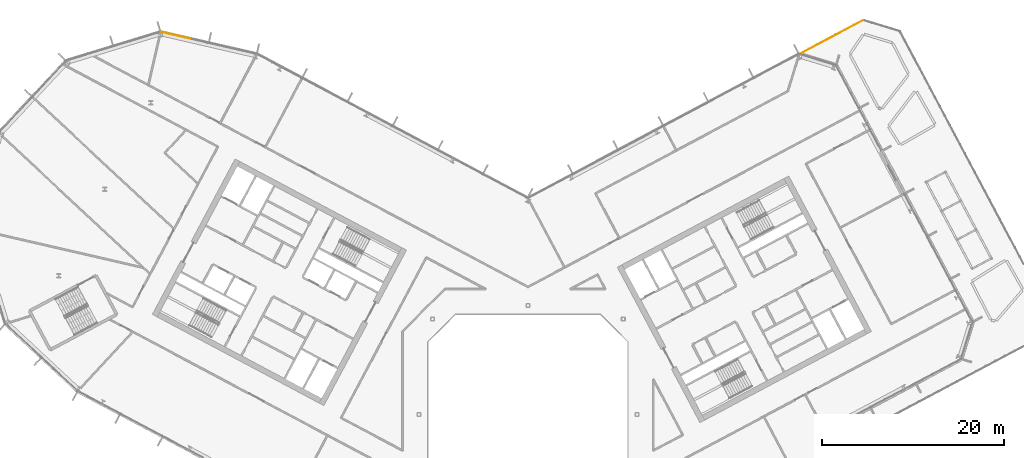
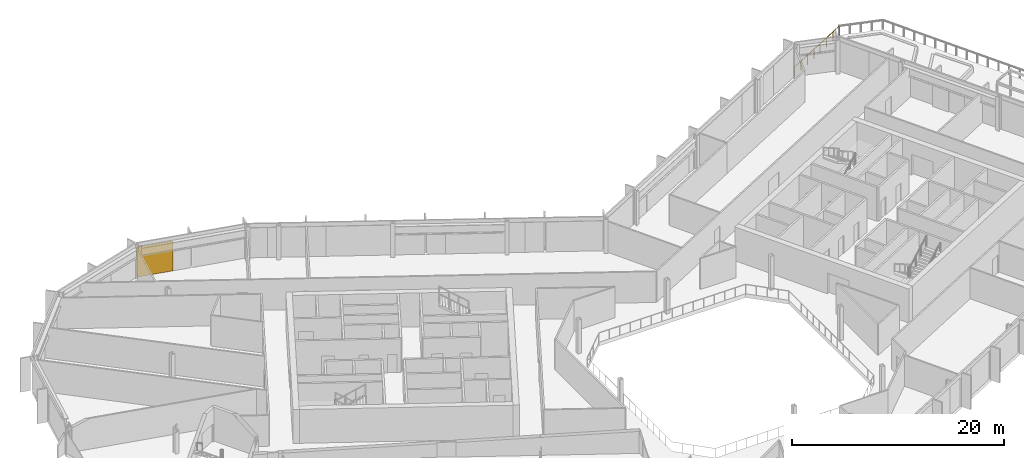
# One storey, part 31 of 31: 1 covering, 1 railing, 1 element without a shape of its own.
"""IFC4 building model written with IfcOpenShell, lengths in metres."""

from ifc_helpers import new_model, si_unit, direction, frame, origin, origin_2d, place, context, subcontext, project, spatial, polyline, rectangle, outline, extrude, material, layer, layer_set, type_object, element, aggregate, save


model = new_model("IFC4")

# Units and contexts
model_context = context("Model", 3, precision=1e-05, world=origin(), true_north=direction((0.0, 1.0)))
body_context = subcontext(model_context, "Body", "Model", "MODEL_VIEW")
ifc_project = project(units=[si_unit("LENGTHUNIT", "METRE"), si_unit("AREAUNIT", "SQUARE_METRE"), si_unit("VOLUMEUNIT", "CUBIC_METRE"), si_unit("PLANEANGLEUNIT", "RADIAN"), si_unit("MASSUNIT", "GRAM", prefix="KILO")], contexts=[model_context])

# Site, building, storey
site_placement = place(None, origin())
site = spatial("IfcSite", under=ifc_project, at=site_placement, CompositionType="ELEMENT")
building_placement = place(site_placement, origin())
building = spatial("IfcBuilding", under=site, at=building_placement, Name="Cormorant Relay Tower", CompositionType="ELEMENT")
storey_placement = place(building_placement, frame((0.0, 0.0, 189.60009765625)))
storey = spatial("IfcBuildingStorey", under=building, at=storey_placement, Name="L40", CompositionType="ELEMENT", Elevation=189.60009765625)

# Curtain wall, covering
ifc_material_1 = material(Name="Aluminium 6063-T6 anodised bronze", Category="aluminium")
ifc_layer_1 = layer(ifc_material_1, 0.199951171875)
ifc_layer_set_1 = layer_set([ifc_layer_1], Name="CW1 unitised bronze curtain wall with vertical fins")
curtain_wall_type = type_object("IfcCurtainWallType", Name="CW1 unitised bronze curtain wall with vertical fins", PredefinedType="NOTDEFINED", material=ifc_layer_set_1)
curtain_wall_placement = place(storey_placement, origin())
curtain_wall = element("IfcCurtainWall", 1, at=curtain_wall_placement, inside=storey, type_object=curtain_wall_type, Name="CW1 curtain wall 10", PredefinedType="NOTDEFINED")
ifc_material_2 = material(Name="Pale bronze anodised aluminium insulated panel", Category="aluminium")
ifc_layer_2 = layer(ifc_material_2, 0.0400390625)
ifc_layer_set_2 = layer_set([ifc_layer_2], Name="CW1 pale bronze insulated panel 40")
covering_type = type_object("IfcCoveringType", Name="CW1 pale bronze insulated panel 40", PredefinedType="CLADDING", material=ifc_layer_set_2)
covering_placement = place(storey_placement, frame((-38.7265625, 41.732421875, 0.0), z_axis=(0.0, 0.0, 1.0), x_axis=(-0.974370064785, 0.224951054344, 0.0)))
covering = element("IfcCovering", 2, at=covering_placement, type_object=covering_type, Name="CW1 panel S02", PredefinedType="CLADDING", context=body_context, shape_type="SweptSolid", body=[
    extrude(rectangle(XDim=3.560302734375, YDim=0.0400390625, at=origin_2d()), origin(), (0.0, 0.0, 1.0), 3.449951171875),
])
aggregate(curtain_wall, [covering])

# Railing
ifc_material_3 = material(Name="Stainless steel guard with laminated glass infill", Category="steel")
railing_type = type_object("IfcRailingType", Name="Slab edge guard 1100", PredefinedType="GUARDRAIL", material=ifc_material_3)
railing_placement = place(storey_placement, frame((29.936279296875, 39.701416015625, 0.0)))
element("IfcRailing", 3, at=railing_placement, inside=storey, type_object=railing_type, Name="Terrace guard L40", PredefinedType="GUARDRAIL", context=body_context, shape_type="SweptSolid", body=[
    extrude(outline(polyline([(0.022216796875, 0.00927734375), (0.00927734375, 0.022216796875), (-0.00927734375, 0.022216796875), (-0.022216796875, 0.00927734375), (-0.022216796875, -0.00927734375), (-0.00927734375, -0.022216796875), (0.00927734375, -0.022216796875), (0.022216796875, -0.00927734375), (0.022216796875, 0.00927734375)])), frame((0.0, 0.0, 1.076171875), z_axis=(0.882951417505, 0.469464369602, 0.0), x_axis=(-0.469464369602, 0.882951417505, 0.0)), (0.0, 0.0, 1.0), 7.928955078125),
    extrude(outline(polyline([(0.019287109375, 0.008056640625), (0.008056640625, 0.019287109375), (-0.008056640625, 0.019287109375), (-0.019287109375, 0.008056640625), (-0.019287109375, -0.008056640625), (-0.008056640625, -0.019287109375), (0.008056640625, -0.019287109375), (0.019287109375, -0.008056640625), (0.019287109375, 0.008056640625)])), origin(), (0.0, 0.0, 1.0), 1.052001953125),
    extrude(outline(polyline([(0.019287109375, 0.008056640625), (0.008056640625, 0.019287109375), (-0.008056640625, 0.019287109375), (-0.019287109375, 0.008056640625), (-0.019287109375, -0.008056640625), (-0.008056640625, -0.019287109375), (0.008056640625, -0.019287109375), (0.019287109375, -0.008056640625), (0.019287109375, 0.008056640625)])), frame((1.000244140625, 0.53173828125, 0.0)), (0.0, 0.0, 1.0), 1.052001953125),
    extrude(outline(polyline([(0.019287109375, 0.008056640625), (0.008056640625, 0.019287109375), (-0.008056640625, 0.019287109375), (-0.019287109375, 0.008056640625), (-0.019287109375, -0.008056640625), (-0.008056640625, -0.019287109375), (0.008056640625, -0.019287109375), (0.019287109375, -0.008056640625), (0.019287109375, 0.008056640625)])), frame((2.000244140625, 1.0634765625, 0.0)), (0.0, 0.0, 1.0), 1.052001953125),
    extrude(outline(polyline([(0.019287109375, 0.008056640625), (0.008056640625, 0.019287109375), (-0.008056640625, 0.019287109375), (-0.019287109375, 0.008056640625), (-0.019287109375, -0.008056640625), (-0.008056640625, -0.019287109375), (0.008056640625, -0.019287109375), (0.019287109375, -0.008056640625), (0.019287109375, 0.008056640625)])), frame((3.00048828125, 1.59521484375, 0.0)), (0.0, 0.0, 1.0), 1.052001953125),
    extrude(outline(polyline([(0.019287109375, 0.008056640625), (0.008056640625, 0.019287109375), (-0.008056640625, 0.019287109375), (-0.019287109375, 0.008056640625), (-0.019287109375, -0.008056640625), (-0.008056640625, -0.019287109375), (0.008056640625, -0.019287109375), (0.019287109375, -0.008056640625), (0.019287109375, 0.008056640625)])), frame((4.00048828125, 2.127197265625, 0.0)), (0.0, 0.0, 1.0), 1.052001953125),
    extrude(outline(polyline([(0.019287109375, 0.008056640625), (0.008056640625, 0.019287109375), (-0.008056640625, 0.019287109375), (-0.019287109375, 0.008056640625), (-0.019287109375, -0.008056640625), (-0.008056640625, -0.019287109375), (0.008056640625, -0.019287109375), (0.019287109375, -0.008056640625), (0.019287109375, 0.008056640625)])), frame((5.000732421875, 2.658935546875, 0.0)), (0.0, 0.0, 1.0), 1.052001953125),
    extrude(outline(polyline([(0.019287109375, 0.008056640625), (0.008056640625, 0.019287109375), (-0.008056640625, 0.019287109375), (-0.019287109375, 0.008056640625), (-0.019287109375, -0.008056640625), (-0.008056640625, -0.019287109375), (0.008056640625, -0.019287109375), (0.019287109375, -0.008056640625), (0.019287109375, 0.008056640625)])), frame((6.000732421875, 3.190673828125, 0.0)), (0.0, 0.0, 1.0), 1.052001953125),
    extrude(outline(polyline([(0.019287109375, 0.008056640625), (0.008056640625, 0.019287109375), (-0.008056640625, 0.019287109375), (-0.019287109375, 0.008056640625), (-0.019287109375, -0.008056640625), (-0.008056640625, -0.019287109375), (0.008056640625, -0.019287109375), (0.019287109375, -0.008056640625), (0.019287109375, 0.008056640625)])), frame((7.0009765625, 3.722412109375, 0.0)), (0.0, 0.0, 1.0), 1.052001953125),
])

save(model, "model.ifc")
